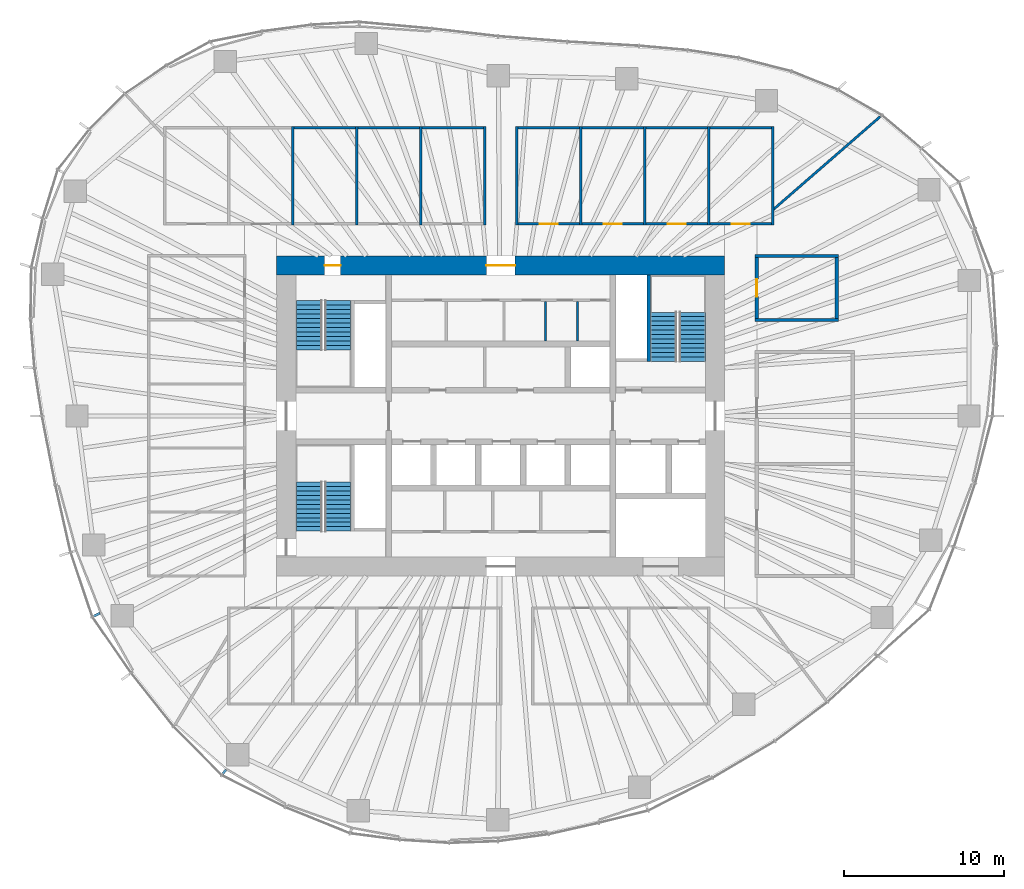
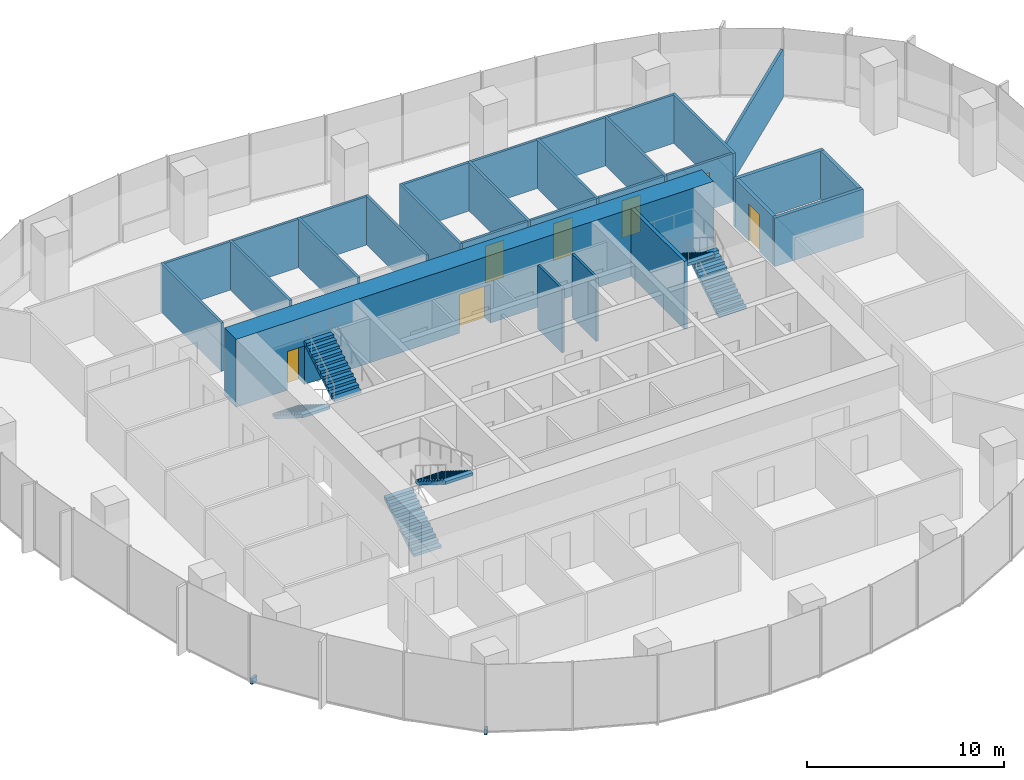
# One storey, part 11 of 18: 29 walls, 7 doors, 6 stair flights, 2 discrete accessories, 7 openings, 3 elements without a shape of their own.
"""IFC4 building model written with IfcOpenShell, lengths in metres."""

from ifc_helpers import new_model, si_unit, direction, frame, frame_2d, origin, origin_2d, place, context, subcontext, project, spatial, polyline, rectangle, outline, extrude, material, layer, layer_set, type_object, element, fill, aggregate, save


model = new_model("IFC4")

# Units and contexts
model_context = context("Model", 3, precision=1e-05, world=origin(), true_north=direction((0.0, 1.0)))
body_context = subcontext(model_context, "Body", "Model", "MODEL_VIEW")
ifc_project = project(units=[si_unit("LENGTHUNIT", "METRE"), si_unit("AREAUNIT", "SQUARE_METRE"), si_unit("VOLUMEUNIT", "CUBIC_METRE"), si_unit("PLANEANGLEUNIT", "RADIAN"), si_unit("MASSUNIT", "GRAM", prefix="KILO")], contexts=[model_context])

# Site, building, storey
site_placement = place(None, origin())
site = spatial("IfcSite", under=ifc_project, at=site_placement, CompositionType="ELEMENT")
building_placement = place(site_placement, origin())
building = spatial("IfcBuilding", under=site, at=building_placement, Name="Ghaith Harvest Tower", CompositionType="ELEMENT")
storey_placement = place(building_placement, frame((0.0, 0.0, 168.0)))
storey = spatial("IfcBuildingStorey", under=building, at=storey_placement, Name="L36", CompositionType="ELEMENT", Elevation=168.0)

# Walls
ifc_material_1 = material(Name="Twin-stud gypsum board, acoustic", Category="gypsum")
ifc_layer_1 = layer(ifc_material_1, 0.199951171875)
ifc_layer_set_1 = layer_set([ifc_layer_1], Name="ACOUSTIC PARTITION 200")
wall_type_1 = type_object("IfcWallType", Name="ACOUSTIC PARTITION 200", PredefinedType="PARTITIONING", material=ifc_layer_set_1)
for number, where, z_axis, x_axis, name in (
    (1, (15.89990234375, 6.0, 0.0), (0.0, 0.0, 1.0), (1.0, 0.0, 0.0), "Partition L36 row E7 cross wall 1"),
    (2, (15.89990234375, 10.0, 0.0), (0.0, 0.0, 1.0), (1.0, 0.0, 0.0), "Partition L36 row E7 cross wall 2"),
):
    element("IfcWall", number, at=place(storey_placement, frame(where, z_axis=z_axis, x_axis=x_axis)), inside=storey, type_object=wall_type_1, Name=name, PredefinedType="PARTITIONING", context=body_context, shape_type="SweptSolid", body=[
        extrude(rectangle(XDim=5.2001953125, YDim=0.199951171875, at=frame_2d((2.60009765625, 0.0))), origin(), (0.0, 0.0, 1.0), 3.0),
    ])

# Wall, opening, door
wall_1_placement = place(storey_placement, frame((16.0, 6.10009765625, 0.0), z_axis=(0.0, 0.0, 1.0), x_axis=(0.0, 1.0, 0.0)))
wall_1 = element("IfcWall", 3, at=wall_1_placement, inside=storey, type_object=wall_type_1, Name="Partition L36-23", PredefinedType="PARTITIONING", context=body_context, shape_type="SweptSolid", body=[
    extrude(rectangle(XDim=3.7998046875, YDim=0.199951171875, at=frame_2d((1.89990234375, 0.0))), origin(), (0.0, 0.0, 1.0), 3.0),
])
opening_1_placement = place(wall_1_placement, frame((1.35009765625, 0.0, 0.0)))
opening_1 = element("IfcOpeningElement", 4, at=opening_1_placement, cuts=wall_1, Name="Opening 36-050", PredefinedType="OPENING", context=body_context, shape_type="SweptSolid", body=[
    extrude(rectangle(XDim=1.10009765625, YDim=2.300048828125, at=frame_2d((0.550048828125, 1.14990234375))), frame((0.0, 0.10986328125, 0.0), z_axis=(0.0, -1.0, 0.0), x_axis=(1.0, 0.0, 0.0)), (0.0, 0.0, 1.0), 0.219970703125),
])
ifc_material_2 = material(Name="Timber-framed glazed door", Category="wood")
door_type_1 = type_object("IfcDoorType", Name="D12 GLAZED OFFICE 1100x2300", OperationType="SINGLE_SWING_LEFT", PredefinedType="DOOR", material=ifc_material_2)
door_1_placement = place(opening_1_placement, origin())
door_1 = element("IfcDoor", 5, at=door_1_placement, inside=storey, type_object=door_type_1, Name="Quiet room door", OperationType="SINGLE_SWING_LEFT", OverallHeight=2.300048828125, OverallWidth=1.10009765625, PredefinedType="DOOR", context=body_context, shape_type="SweptSolid", body=[
    extrude(rectangle(XDim=1.10009765625, YDim=2.300048828125, at=frame_2d((0.550048828125, 1.14990234375))), frame((0.0, 0.02490234375, 0.0), z_axis=(0.0, -1.0, 0.0), x_axis=(1.0, 0.0, 0.0)), (0.0, 0.0, 1.0), 0.050048828125),
])
fill(opening_1, door_1)

# Walls
wall_2_placement = place(storey_placement, frame((21.0, 6.10009765625, 0.0), z_axis=(0.0, 0.0, 1.0), x_axis=(0.0, 1.0, 0.0)))
element("IfcWall", 6, at=wall_2_placement, inside=storey, type_object=wall_type_1, Name="Partition L36-23", PredefinedType="PARTITIONING", context=body_context, shape_type="SweptSolid", body=[
    extrude(rectangle(XDim=3.7998046875, YDim=0.199951171875, at=frame_2d((1.89990234375, 0.0))), origin(), (0.0, 0.0, 1.0), 3.0),
])
ifc_material_3 = material(Name="Concrete blockwork, fair-faced", Category="masonry")
ifc_layer_2 = layer(ifc_material_3, 0.139892578125)
ifc_layer_set_2 = layer_set([ifc_layer_2], Name="CORE PARTITION 140")
wall_type_2 = type_object("IfcWallType", Name="CORE PARTITION 140", PredefinedType="PARTITIONING", material=ifc_layer_set_2)
for number, where, z_axis, x_axis, name in (
    (7, (2.800048828125, 4.699951171875, 0.0), (0.0, 0.0, 1.0), (0.0, 1.0, 0.0), "Core partition L36"),
    (8, (4.800048828125, 4.699951171875, 0.0), (0.0, 0.0, 1.0), (0.0, 1.0, 0.0), "Core partition L36"),
):
    element("IfcWall", number, at=place(storey_placement, frame(where, z_axis=z_axis, x_axis=x_axis)), inside=storey, type_object=wall_type_2, Name=name, PredefinedType="PARTITIONING", context=body_context, shape_type="SweptSolid", body=[
        extrude(rectangle(XDim=2.4599609375, YDim=0.139892578125, at=frame_2d((1.22998046875, 0.0))), origin(), (0.0, 0.0, 1.0), 3.949951171875),
    ])

# Wall, openings, doors
ifc_material_4 = material(Name="Concrete C60/75", Category="concrete")
ifc_layer_3 = layer(ifc_material_4, 1.199951171875)
ifc_layer_set_3 = layer_set([ifc_layer_3], Name="CORE WALL CW1200 C60")
wall_type_3 = type_object("IfcWallType", Name="CORE WALL CW1200 C60", PredefinedType="SHEAR", material=ifc_layer_set_3)
wall_3_placement = place(storey_placement, frame((14.0, 9.39990234375, 0.0), z_axis=(0.0, 0.0, 1.0), x_axis=(-1.0, 0.0, 0.0)))
wall_3 = element("IfcWall", 9, at=wall_3_placement, inside=storey, type_object=wall_type_3, Name="Core wall N L36", PredefinedType="SHEAR", context=body_context, shape_type="SweptSolid", body=[
    extrude(rectangle(XDim=28.0, YDim=1.199951171875, at=frame_2d((14.0, 0.0))), origin(), (0.0, 0.0, 1.0), 4.199951171875),
])
opening_2_placement = place(wall_3_placement, frame((24.0, 0.0, 0.0)))
opening_2 = element("IfcOpeningElement", 10, at=opening_2_placement, cuts=wall_3, Name="Opening 36-005", PredefinedType="OPENING", context=body_context, shape_type="SweptSolid", body=[
    extrude(rectangle(XDim=1.0, YDim=2.39990234375, at=frame_2d((0.5, 1.199951171875))), frame((0.0, 0.60986328125, 0.0), z_axis=(0.0, -1.0, 0.0), x_axis=(1.0, 0.0, 0.0)), (0.0, 0.0, 1.0), 1.219970703125),
])
opening_3_placement = place(wall_3_placement, frame((13.10009765625, 0.0, 0.0)))
opening_3 = element("IfcOpeningElement", 11, at=opening_3_placement, cuts=wall_3, Name="Opening 36-019", PredefinedType="OPENING", context=body_context, shape_type="SweptSolid", body=[
    extrude(rectangle(XDim=1.800048828125, YDim=2.39990234375, at=frame_2d((0.89990234375, 1.199951171875))), frame((0.0, 0.60986328125, 0.0), z_axis=(0.0, -1.0, 0.0), x_axis=(1.0, 0.0, 0.0)), (0.0, 0.0, 1.0), 1.219970703125),
])
ifc_material_5 = material(Name="Steel fire door", Category="steel")
door_type_2 = type_object("IfcDoorType", Name="D3 FD90 1000x2400", OperationType="SINGLE_SWING_LEFT", PredefinedType="DOOR", material=ifc_material_5)
door_2_placement = place(opening_2_placement, origin())
door_2 = element("IfcDoor", 12, at=door_2_placement, inside=storey, type_object=door_type_2, Name="Stair ST1 door", OperationType="SINGLE_SWING_RIGHT", OverallHeight=2.39990234375, OverallWidth=1.0, PredefinedType="DOOR", context=body_context, shape_type="SweptSolid", body=[
    extrude(rectangle(XDim=1.0, YDim=2.39990234375, at=frame_2d((0.5, 1.199951171875))), frame((0.0, 0.02490234375, 0.0), z_axis=(0.0, -1.0, 0.0), x_axis=(1.0, 0.0, 0.0)), (0.0, 0.0, 1.0), 0.050048828125),
])
fill(opening_2, door_2)
ifc_material_6 = material(Name="Steel fire door", Category="steel")
door_type_3 = type_object("IfcDoorType", Name="D4 FD90 PAIR 1800x2400", OperationType="DOUBLE_DOOR_SINGLE_SWING", PredefinedType="DOOR", material=ifc_material_6)
door_3_placement = place(opening_3_placement, origin())
door_3 = element("IfcDoor", 13, at=door_3_placement, inside=storey, type_object=door_type_3, Name="Core service corridor doors", OperationType="DOUBLE_DOOR_SINGLE_SWING", OverallHeight=2.39990234375, OverallWidth=1.800048828125, PredefinedType="DOOR", context=body_context, shape_type="SweptSolid", body=[
    extrude(rectangle(XDim=1.800048828125, YDim=2.39990234375, at=frame_2d((0.89990234375, 1.199951171875))), frame((0.0, 0.02490234375, 0.0), z_axis=(0.0, -1.0, 0.0), x_axis=(1.0, 0.0, 0.0)), (0.0, 0.0, 1.0), 0.050048828125),
])
fill(opening_3, door_3)

# Walls
ifc_material_7 = material(Name="Gypsum board on steel studs", Category="steel")
ifc_layer_4 = layer(ifc_material_7, 0.14990234375)
ifc_layer_set_4 = layer_set([ifc_layer_4], Name="PARTITION 150")
wall_type_4 = type_object("IfcWallType", Name="PARTITION 150", PredefinedType="PARTITIONING", material=ifc_layer_set_4)
for number, where, z_axis, x_axis, name in (
    (14, (-13.0, 11.925048828125, 0.0), (0.0, 0.0, 1.0), (0.0, 1.0, 0.0), "Partition L36 row N1 cross wall 3"),
    (15, (-9.0, 11.925048828125, 0.0), (0.0, 0.0, 1.0), (0.0, 1.0, 0.0), "Partition L36 row N1 cross wall 4"),
    (16, (-5.0, 11.925048828125, 0.0), (0.0, 0.0, 1.0), (0.0, 1.0, 0.0), "Partition L36 row N1 cross wall 5"),
    (17, (-1.0, 11.925048828125, 0.0), (0.0, 0.0, 1.0), (0.0, 1.0, 0.0), "Partition L36 row N1 cross wall 6"),
):
    element("IfcWall", number, at=place(storey_placement, frame(where, z_axis=z_axis, x_axis=x_axis)), inside=storey, type_object=wall_type_4, Name=name, PredefinedType="PARTITIONING", context=body_context, shape_type="SweptSolid", body=[
        extrude(rectangle(XDim=6.14990234375, YDim=0.14990234375, at=frame_2d((3.074951171875, 0.0))), origin(), (0.0, 0.0, 1.0), 3.0),
    ])
for number, where, z_axis, x_axis, name in (
    (18, (-12.925048828125, 18.0, 0.0), (0.0, 0.0, 1.0), (1.0, 0.0, 0.0), "Partition L36-03"),
    (19, (-8.925048828125, 18.0, 0.0), (0.0, 0.0, 1.0), (1.0, 0.0, 0.0), "Partition L36-04"),
    (20, (-4.925048828125, 18.0, 0.0), (0.0, 0.0, 1.0), (1.0, 0.0, 0.0), "Partition L36-05"),
):
    element("IfcWall", number, at=place(storey_placement, frame(where, z_axis=z_axis, x_axis=x_axis)), inside=storey, type_object=wall_type_4, Name=name, PredefinedType="PARTITIONING", context=body_context, shape_type="SweptSolid", body=[
        extrude(rectangle(XDim=3.85009765625, YDim=0.14990234375, at=frame_2d((1.925048828125, 0.0))), origin(), (0.0, 0.0, 1.0), 3.0),
    ])
for number, where, z_axis, x_axis, name in (
    (21, (1.0, 11.925048828125, 0.0), (0.0, 0.0, 1.0), (0.0, 1.0, 0.0), "Partition L36 row N2 cross wall 1"),
    (22, (5.0, 11.925048828125, 0.0), (0.0, 0.0, 1.0), (0.0, 1.0, 0.0), "Partition L36 row N2 cross wall 2"),
    (23, (9.0, 11.925048828125, 0.0), (0.0, 0.0, 1.0), (0.0, 1.0, 0.0), "Partition L36 row N2 cross wall 3"),
    (24, (13.0, 11.925048828125, 0.0), (0.0, 0.0, 1.0), (0.0, 1.0, 0.0), "Partition L36 row N2 cross wall 4"),
    (25, (17.0, 11.925048828125, 0.0), (0.0, 0.0, 1.0), (0.0, 1.0, 0.0), "Partition L36 row N2 cross wall 5"),
):
    element("IfcWall", number, at=place(storey_placement, frame(where, z_axis=z_axis, x_axis=x_axis)), inside=storey, type_object=wall_type_4, Name=name, PredefinedType="PARTITIONING", context=body_context, shape_type="SweptSolid", body=[
        extrude(rectangle(XDim=6.14990234375, YDim=0.14990234375, at=frame_2d((3.074951171875, 0.0))), origin(), (0.0, 0.0, 1.0), 3.0),
    ])

# Wall, opening, door
wall_4_placement = place(storey_placement, frame((1.074951171875, 12.0, 0.0), z_axis=(0.0, 0.0, 1.0), x_axis=(1.0, 0.0, 0.0)))
wall_4 = element("IfcWall", 26, at=wall_4_placement, inside=storey, type_object=wall_type_4, Name="Partition L36-06", PredefinedType="PARTITIONING", context=body_context, shape_type="SweptSolid", body=[
    extrude(rectangle(XDim=3.85009765625, YDim=0.14990234375, at=frame_2d((1.925048828125, 0.0))), origin(), (0.0, 0.0, 1.0), 3.0),
])
opening_4_placement = place(wall_4_placement, frame((1.375, 0.0, 0.0)))
opening_4 = element("IfcOpeningElement", 27, at=opening_4_placement, cuts=wall_4, Name="Opening 36-033", PredefinedType="OPENING", context=body_context, shape_type="SweptSolid", body=[
    extrude(rectangle(XDim=1.10009765625, YDim=2.300048828125, at=frame_2d((0.550048828125, 1.14990234375))), frame((0.0, 0.0849609375, 0.0), z_axis=(0.0, -1.0, 0.0), x_axis=(1.0, 0.0, 0.0)), (0.0, 0.0, 1.0), 0.169921875),
])
door_4_placement = place(opening_4_placement, origin())
door_4 = element("IfcDoor", 28, at=door_4_placement, inside=storey, type_object=door_type_1, Name="Office door", OperationType="SINGLE_SWING_LEFT", OverallHeight=2.300048828125, OverallWidth=1.10009765625, PredefinedType="DOOR", context=body_context, shape_type="SweptSolid", body=[
    extrude(rectangle(XDim=1.10009765625, YDim=2.300048828125, at=frame_2d((0.550048828125, 1.14990234375))), frame((0.0, 0.02490234375, 0.0), z_axis=(0.0, -1.0, 0.0), x_axis=(1.0, 0.0, 0.0)), (0.0, 0.0, 1.0), 0.050048828125),
])
fill(opening_4, door_4)

# Wall
wall_5_placement = place(storey_placement, frame((1.074951171875, 18.0, 0.0), z_axis=(0.0, 0.0, 1.0), x_axis=(1.0, 0.0, 0.0)))
element("IfcWall", 29, at=wall_5_placement, inside=storey, type_object=wall_type_4, Name="Partition L36-06", PredefinedType="PARTITIONING", context=body_context, shape_type="SweptSolid", body=[
    extrude(rectangle(XDim=3.85009765625, YDim=0.14990234375, at=frame_2d((1.925048828125, 0.0))), origin(), (0.0, 0.0, 1.0), 3.0),
])

# Wall, opening, door
wall_6_placement = place(storey_placement, frame((5.074951171875, 12.0, 0.0), z_axis=(0.0, 0.0, 1.0), x_axis=(1.0, 0.0, 0.0)))
wall_6 = element("IfcWall", 30, at=wall_6_placement, inside=storey, type_object=wall_type_4, Name="Partition L36-07", PredefinedType="PARTITIONING", context=body_context, shape_type="SweptSolid", body=[
    extrude(rectangle(XDim=3.85009765625, YDim=0.14990234375, at=frame_2d((1.925048828125, 0.0))), origin(), (0.0, 0.0, 1.0), 3.0),
])
opening_5_placement = place(wall_6_placement, frame((1.375, 0.0, 0.0)))
opening_5 = element("IfcOpeningElement", 31, at=opening_5_placement, cuts=wall_6, Name="Opening 36-034", PredefinedType="OPENING", context=body_context, shape_type="SweptSolid", body=[
    extrude(rectangle(XDim=1.10009765625, YDim=2.300048828125, at=frame_2d((0.550048828125, 1.14990234375))), frame((0.0, 0.0849609375, 0.0), z_axis=(0.0, -1.0, 0.0), x_axis=(1.0, 0.0, 0.0)), (0.0, 0.0, 1.0), 0.169921875),
])
door_5_placement = place(opening_5_placement, origin())
door_5 = element("IfcDoor", 32, at=door_5_placement, inside=storey, type_object=door_type_1, Name="Office door", OperationType="SINGLE_SWING_LEFT", OverallHeight=2.300048828125, OverallWidth=1.10009765625, PredefinedType="DOOR", context=body_context, shape_type="SweptSolid", body=[
    extrude(rectangle(XDim=1.10009765625, YDim=2.300048828125, at=frame_2d((0.550048828125, 1.14990234375))), frame((0.0, 0.02490234375, 0.0), z_axis=(0.0, -1.0, 0.0), x_axis=(1.0, 0.0, 0.0)), (0.0, 0.0, 1.0), 0.050048828125),
])
fill(opening_5, door_5)

# Wall
wall_7_placement = place(storey_placement, frame((5.074951171875, 18.0, 0.0), z_axis=(0.0, 0.0, 1.0), x_axis=(1.0, 0.0, 0.0)))
element("IfcWall", 33, at=wall_7_placement, inside=storey, type_object=wall_type_4, Name="Partition L36-07", PredefinedType="PARTITIONING", context=body_context, shape_type="SweptSolid", body=[
    extrude(rectangle(XDim=3.85009765625, YDim=0.14990234375, at=frame_2d((1.925048828125, 0.0))), origin(), (0.0, 0.0, 1.0), 3.0),
])

# Wall, opening, door
wall_8_placement = place(storey_placement, frame((9.074951171875, 12.0, 0.0), z_axis=(0.0, 0.0, 1.0), x_axis=(1.0, 0.0, 0.0)))
wall_8 = element("IfcWall", 34, at=wall_8_placement, inside=storey, type_object=wall_type_4, Name="Partition L36-08", PredefinedType="PARTITIONING", context=body_context, shape_type="SweptSolid", body=[
    extrude(rectangle(XDim=3.85009765625, YDim=0.14990234375, at=frame_2d((1.925048828125, 0.0))), origin(), (0.0, 0.0, 1.0), 3.0),
])
opening_6_placement = place(wall_8_placement, frame((1.375, 0.0, 0.0)))
opening_6 = element("IfcOpeningElement", 35, at=opening_6_placement, cuts=wall_8, Name="Opening 36-035", PredefinedType="OPENING", context=body_context, shape_type="SweptSolid", body=[
    extrude(rectangle(XDim=1.10009765625, YDim=2.300048828125, at=frame_2d((0.550048828125, 1.14990234375))), frame((0.0, 0.0849609375, 0.0), z_axis=(0.0, -1.0, 0.0), x_axis=(1.0, 0.0, 0.0)), (0.0, 0.0, 1.0), 0.169921875),
])
door_6_placement = place(opening_6_placement, origin())
door_6 = element("IfcDoor", 36, at=door_6_placement, inside=storey, type_object=door_type_1, Name="Office door", OperationType="SINGLE_SWING_LEFT", OverallHeight=2.300048828125, OverallWidth=1.10009765625, PredefinedType="DOOR", context=body_context, shape_type="SweptSolid", body=[
    extrude(rectangle(XDim=1.10009765625, YDim=2.300048828125, at=frame_2d((0.550048828125, 1.14990234375))), frame((0.0, 0.02490234375, 0.0), z_axis=(0.0, -1.0, 0.0), x_axis=(1.0, 0.0, 0.0)), (0.0, 0.0, 1.0), 0.050048828125),
])
fill(opening_6, door_6)

# Wall
wall_9_placement = place(storey_placement, frame((9.074951171875, 18.0, 0.0), z_axis=(0.0, 0.0, 1.0), x_axis=(1.0, 0.0, 0.0)))
element("IfcWall", 37, at=wall_9_placement, inside=storey, type_object=wall_type_4, Name="Partition L36-08", PredefinedType="PARTITIONING", context=body_context, shape_type="SweptSolid", body=[
    extrude(rectangle(XDim=3.85009765625, YDim=0.14990234375, at=frame_2d((1.925048828125, 0.0))), origin(), (0.0, 0.0, 1.0), 3.0),
])

# Wall, opening, door
wall_10_placement = place(storey_placement, frame((13.074951171875, 12.0, 0.0), z_axis=(0.0, 0.0, 1.0), x_axis=(1.0, 0.0, 0.0)))
wall_10 = element("IfcWall", 38, at=wall_10_placement, inside=storey, type_object=wall_type_4, Name="Partition L36-09", PredefinedType="PARTITIONING", context=body_context, shape_type="SweptSolid", body=[
    extrude(rectangle(XDim=3.85009765625, YDim=0.14990234375, at=frame_2d((1.925048828125, 0.0))), origin(), (0.0, 0.0, 1.0), 3.0),
])
opening_7_placement = place(wall_10_placement, frame((1.375, 0.0, 0.0)))
opening_7 = element("IfcOpeningElement", 39, at=opening_7_placement, cuts=wall_10, Name="Opening 36-036", PredefinedType="OPENING", context=body_context, shape_type="SweptSolid", body=[
    extrude(rectangle(XDim=1.10009765625, YDim=2.300048828125, at=frame_2d((0.550048828125, 1.14990234375))), frame((0.0, 0.0849609375, 0.0), z_axis=(0.0, -1.0, 0.0), x_axis=(1.0, 0.0, 0.0)), (0.0, 0.0, 1.0), 0.169921875),
])
door_7_placement = place(opening_7_placement, origin())
door_7 = element("IfcDoor", 40, at=door_7_placement, inside=storey, type_object=door_type_1, Name="Office door", OperationType="SINGLE_SWING_LEFT", OverallHeight=2.300048828125, OverallWidth=1.10009765625, PredefinedType="DOOR", context=body_context, shape_type="SweptSolid", body=[
    extrude(rectangle(XDim=1.10009765625, YDim=2.300048828125, at=frame_2d((0.550048828125, 1.14990234375))), frame((0.0, 0.02490234375, 0.0), z_axis=(0.0, -1.0, 0.0), x_axis=(1.0, 0.0, 0.0)), (0.0, 0.0, 1.0), 0.050048828125),
])
fill(opening_7, door_7)

# Walls
wall_11_placement = place(storey_placement, frame((13.074951171875, 18.0, 0.0), z_axis=(0.0, 0.0, 1.0), x_axis=(1.0, 0.0, 0.0)))
element("IfcWall", 41, at=wall_11_placement, inside=storey, type_object=wall_type_4, Name="Partition L36-09", PredefinedType="PARTITIONING", context=body_context, shape_type="SweptSolid", body=[
    extrude(rectangle(XDim=3.85009765625, YDim=0.14990234375, at=frame_2d((1.925048828125, 0.0))), origin(), (0.0, 0.0, 1.0), 3.0),
])
wall_12_placement = place(storey_placement, frame((17.02001953125, 12.88671875, 0.0), z_axis=(0.0, 0.0, 1.0), x_axis=(0.75468613342, 0.656086000479, 0.0)))
element("IfcWall", 42, at=wall_12_placement, inside=storey, type_object=wall_type_4, Name="Partition L36 zone division", PredefinedType="PARTITIONING", context=body_context, shape_type="SweptSolid", body=[
    extrude(rectangle(XDim=8.86669921875, YDim=0.14990234375, at=frame_2d((4.433349609375, 0.0))), origin(), (0.0, 0.0, 1.0), 3.0),
])
ifc_material_8 = material(Name="Concrete C40/50", Category="concrete")
ifc_layer_5 = layer(ifc_material_8, 0.199951171875)
ifc_layer_set_5 = layer_set([ifc_layer_5], Name="STAIR SPINE WALL RC200")
wall_type_5 = type_object("IfcWallType", Name="STAIR SPINE WALL RC200", PredefinedType="SOLIDWALL", material=ifc_layer_set_5)
wall_13_placement = place(storey_placement, frame((9.25, 3.39990234375, 0.0), z_axis=(0.0, 0.0, 1.0), x_axis=(0.0, 1.0, 0.0)))
element("IfcWall", 43, at=wall_13_placement, inside=storey, type_object=wall_type_5, Name="Stair ST2 spine wall L36", PredefinedType="SOLIDWALL", context=body_context, shape_type="SweptSolid", body=[
    extrude(rectangle(XDim=5.400146484375, YDim=0.199951171875, at=frame_2d((2.7001953125, 0.0))), origin(), (0.0, 0.0, 1.0), 4.199951171875),
])

# Stair, stair flights
ifc_material_9 = material(Name="Concrete C40/50, precast", Category="concrete")
stair_type = type_object("IfcStairType", Name="CORE STAIR 24R", PredefinedType="HALF_TURN_STAIR", material=ifc_material_9)
stair_1_placement = place(storey_placement, origin())
stair_1 = element("IfcStair", 44, at=stair_1_placement, inside=storey, type_object=stair_type, Name="Stair ST1 L36", PredefinedType="HALF_TURN_STAIR")
ifc_material_10 = material(Name="Concrete C40/50, precast", Category="concrete")
stair_flight_type = type_object("IfcStairFlightType", Name="CORE FLIGHT 12R 1600", PredefinedType="STRAIGHT", material=ifc_material_10)
stair_flight_1_placement = place(storey_placement, frame((-12.0, 7.199951171875, 0.0), z_axis=(0.0, 0.0, 1.0), x_axis=(0.0, -1.0, 0.0)))
stair_flight_1 = element("IfcStairFlight", 45, at=stair_flight_1_placement, type_object=stair_flight_type, Name="ST1 flight 1", NumberOfRisers=12, NumberOfTreads=11, PredefinedType="STRAIGHT", RiserHeight=0.175, TreadLength=0.28, context=body_context, shape_type="SweptSolid", body=[
    extrude(outline(polyline([(0.0, 0.0), (0.0, 0.175048828125), (0.280029296875, 0.175048828125), (0.280029296875, 0.35009765625), (0.56005859375, 0.35009765625), (0.56005859375, 0.52490234375), (0.840087890625, 0.52490234375), (0.840087890625, 0.699951171875), (1.1201171875, 0.699951171875), (1.1201171875, 0.875), (1.39990234375, 0.875), (1.39990234375, 1.050048828125), (1.679931640625, 1.050048828125), (1.679931640625, 1.22509765625), (1.9599609375, 1.22509765625), (1.9599609375, 1.39990234375), (2.239990234375, 1.39990234375), (2.239990234375, 1.574951171875), (2.52001953125, 1.574951171875), (2.52001953125, 1.75), (2.800048828125, 1.75), (2.800048828125, 1.925048828125), (3.080078125, 1.925048828125), (3.080078125, 2.10009765625), (3.080078125, 1.748291015625), (0.28271484375, 0.0), (0.0, 0.0)])), frame((0.0, 0.800048828125, 0.0), z_axis=(0.0, -1.0, 0.0), x_axis=(1.0, 0.0, 0.0)), (0.0, 0.0, 1.0), 1.60009765625),
])
stair_flight_2_placement = place(storey_placement, frame((-10.14990234375, 4.1201171875, 2.10009765625), z_axis=(0.0, 0.0, 1.0), x_axis=(0.0, 1.0, 0.0)))
stair_flight_2 = element("IfcStairFlight", 46, at=stair_flight_2_placement, type_object=stair_flight_type, Name="ST1 flight 2", NumberOfRisers=12, NumberOfTreads=11, PredefinedType="STRAIGHT", RiserHeight=0.175, TreadLength=0.28, context=body_context, shape_type="SweptSolid", body=[
    extrude(outline(polyline([(0.0, 0.0), (0.0, 0.175048828125), (0.280029296875, 0.175048828125), (0.280029296875, 0.35009765625), (0.56005859375, 0.35009765625), (0.56005859375, 0.52490234375), (0.840087890625, 0.52490234375), (0.840087890625, 0.699951171875), (1.1201171875, 0.699951171875), (1.1201171875, 0.875), (1.39990234375, 0.875), (1.39990234375, 1.050048828125), (1.679931640625, 1.050048828125), (1.679931640625, 1.22509765625), (1.9599609375, 1.22509765625), (1.9599609375, 1.39990234375), (2.239990234375, 1.39990234375), (2.239990234375, 1.574951171875), (2.52001953125, 1.574951171875), (2.52001953125, 1.75), (2.800048828125, 1.75), (2.800048828125, 1.925048828125), (3.080078125, 1.925048828125), (3.080078125, 2.10009765625), (3.080078125, 1.748291015625), (0.28271484375, 0.0), (0.0, 0.0)])), frame((0.0, 0.800048828125, 0.0), z_axis=(0.0, -1.0, 0.0), x_axis=(1.0, 0.0, 0.0)), (0.0, 0.0, 1.0), 1.60009765625),
])
aggregate(stair_1, [stair_flight_1, stair_flight_2])

stair_2_placement = place(storey_placement, origin())
stair_2 = element("IfcStair", 47, at=stair_2_placement, inside=storey, type_object=stair_type, Name="Stair ST3 L36", PredefinedType="HALF_TURN_STAIR")
stair_flight_3_placement = place(storey_placement, frame((-12.0, -7.199951171875, 0.0), z_axis=(0.0, 0.0, 1.0), x_axis=(0.0, 1.0, 0.0)))
stair_flight_3 = element("IfcStairFlight", 48, at=stair_flight_3_placement, type_object=stair_flight_type, Name="ST3 flight 1", NumberOfRisers=12, NumberOfTreads=11, PredefinedType="STRAIGHT", RiserHeight=0.175, TreadLength=0.28, context=body_context, shape_type="SweptSolid", body=[
    extrude(outline(polyline([(0.0, 0.0), (0.0, 0.175048828125), (0.280029296875, 0.175048828125), (0.280029296875, 0.35009765625), (0.56005859375, 0.35009765625), (0.56005859375, 0.52490234375), (0.840087890625, 0.52490234375), (0.840087890625, 0.699951171875), (1.1201171875, 0.699951171875), (1.1201171875, 0.875), (1.39990234375, 0.875), (1.39990234375, 1.050048828125), (1.679931640625, 1.050048828125), (1.679931640625, 1.22509765625), (1.9599609375, 1.22509765625), (1.9599609375, 1.39990234375), (2.239990234375, 1.39990234375), (2.239990234375, 1.574951171875), (2.52001953125, 1.574951171875), (2.52001953125, 1.75), (2.800048828125, 1.75), (2.800048828125, 1.925048828125), (3.080078125, 1.925048828125), (3.080078125, 2.10009765625), (3.080078125, 1.748291015625), (0.28271484375, 0.0), (0.0, 0.0)])), frame((0.0, 0.800048828125, 0.0), z_axis=(0.0, -1.0, 0.0), x_axis=(1.0, 0.0, 0.0)), (0.0, 0.0, 1.0), 1.60009765625),
])
stair_flight_4_placement = place(storey_placement, frame((-10.14990234375, -4.1201171875, 2.10009765625), z_axis=(0.0, 0.0, 1.0), x_axis=(0.0, -1.0, 0.0)))
stair_flight_4 = element("IfcStairFlight", 49, at=stair_flight_4_placement, type_object=stair_flight_type, Name="ST3 flight 2", NumberOfRisers=12, NumberOfTreads=11, PredefinedType="STRAIGHT", RiserHeight=0.175, TreadLength=0.28, context=body_context, shape_type="SweptSolid", body=[
    extrude(outline(polyline([(0.0, 0.0), (0.0, 0.175048828125), (0.280029296875, 0.175048828125), (0.280029296875, 0.35009765625), (0.56005859375, 0.35009765625), (0.56005859375, 0.52490234375), (0.840087890625, 0.52490234375), (0.840087890625, 0.699951171875), (1.1201171875, 0.699951171875), (1.1201171875, 0.875), (1.39990234375, 0.875), (1.39990234375, 1.050048828125), (1.679931640625, 1.050048828125), (1.679931640625, 1.22509765625), (1.9599609375, 1.22509765625), (1.9599609375, 1.39990234375), (2.239990234375, 1.39990234375), (2.239990234375, 1.574951171875), (2.52001953125, 1.574951171875), (2.52001953125, 1.75), (2.800048828125, 1.75), (2.800048828125, 1.925048828125), (3.080078125, 1.925048828125), (3.080078125, 2.10009765625), (3.080078125, 1.748291015625), (0.28271484375, 0.0), (0.0, 0.0)])), frame((0.0, 0.800048828125, 0.0), z_axis=(0.0, -1.0, 0.0), x_axis=(1.0, 0.0, 0.0)), (0.0, 0.0, 1.0), 1.60009765625),
])
aggregate(stair_2, [stair_flight_3, stair_flight_4])

stair_3_placement = place(storey_placement, origin())
stair_3 = element("IfcStair", 50, at=stair_3_placement, inside=storey, type_object=stair_type, Name="Stair ST2 L36", PredefinedType="HALF_TURN_STAIR")
stair_flight_5_placement = place(storey_placement, frame((12.0, 3.39990234375, 0.0), z_axis=(0.0, 0.0, 1.0), x_axis=(0.0, 1.0, 0.0)))
stair_flight_5 = element("IfcStairFlight", 51, at=stair_flight_5_placement, type_object=stair_flight_type, Name="ST2 flight 1", NumberOfRisers=12, NumberOfTreads=11, PredefinedType="STRAIGHT", RiserHeight=0.175, TreadLength=0.28, context=body_context, shape_type="SweptSolid", body=[
    extrude(outline(polyline([(0.0, 0.0), (0.0, 0.175048828125), (0.280029296875, 0.175048828125), (0.280029296875, 0.35009765625), (0.56005859375, 0.35009765625), (0.56005859375, 0.52490234375), (0.840087890625, 0.52490234375), (0.840087890625, 0.699951171875), (1.1201171875, 0.699951171875), (1.1201171875, 0.875), (1.39990234375, 0.875), (1.39990234375, 1.050048828125), (1.679931640625, 1.050048828125), (1.679931640625, 1.22509765625), (1.9599609375, 1.22509765625), (1.9599609375, 1.39990234375), (2.239990234375, 1.39990234375), (2.239990234375, 1.574951171875), (2.52001953125, 1.574951171875), (2.52001953125, 1.75), (2.800048828125, 1.75), (2.800048828125, 1.925048828125), (3.080078125, 1.925048828125), (3.080078125, 2.10009765625), (3.080078125, 1.748291015625), (0.28271484375, 0.0), (0.0, 0.0)])), frame((0.0, 0.800048828125, 0.0), z_axis=(0.0, -1.0, 0.0), x_axis=(1.0, 0.0, 0.0)), (0.0, 0.0, 1.0), 1.60009765625),
])
stair_flight_6_placement = place(storey_placement, frame((10.14990234375, 6.47998046875, 2.10009765625), z_axis=(0.0, 0.0, 1.0), x_axis=(0.0, -1.0, 0.0)))
stair_flight_6 = element("IfcStairFlight", 52, at=stair_flight_6_placement, type_object=stair_flight_type, Name="ST2 flight 2", NumberOfRisers=12, NumberOfTreads=11, PredefinedType="STRAIGHT", RiserHeight=0.175, TreadLength=0.28, context=body_context, shape_type="SweptSolid", body=[
    extrude(outline(polyline([(0.0, 0.0), (0.0, 0.175048828125), (0.280029296875, 0.175048828125), (0.280029296875, 0.35009765625), (0.56005859375, 0.35009765625), (0.56005859375, 0.52490234375), (0.840087890625, 0.52490234375), (0.840087890625, 0.699951171875), (1.1201171875, 0.699951171875), (1.1201171875, 0.875), (1.39990234375, 0.875), (1.39990234375, 1.050048828125), (1.679931640625, 1.050048828125), (1.679931640625, 1.22509765625), (1.9599609375, 1.22509765625), (1.9599609375, 1.39990234375), (2.239990234375, 1.39990234375), (2.239990234375, 1.574951171875), (2.52001953125, 1.574951171875), (2.52001953125, 1.75), (2.800048828125, 1.75), (2.800048828125, 1.925048828125), (3.080078125, 1.925048828125), (3.080078125, 2.10009765625), (3.080078125, 1.748291015625), (0.28271484375, 0.0), (0.0, 0.0)])), frame((0.0, 0.800048828125, 0.0), z_axis=(0.0, -1.0, 0.0), x_axis=(1.0, 0.0, 0.0)), (0.0, 0.0, 1.0), 1.60009765625),
])
aggregate(stair_3, [stair_flight_5, stair_flight_6])

# Discrete accessories
ifc_material_11 = material(Name="Stainless steel grade 1.4401", Category="steel")
discrete_accessory_type_1 = type_object("IfcDiscreteAccessoryType", Name="CURTAIN WALL BRACKET 315", PredefinedType="BRACKET", material=ifc_material_11)
discrete_accessory_1_placement = place(storey_placement, frame((-17.266357421875, -22.232421875, -0.25), z_axis=(0.0, 0.0, 1.0), x_axis=(-0.613377713774, -0.789789706343, 0.0)))
element("IfcDiscreteAccessory", 53, at=discrete_accessory_1_placement, inside=storey, type_object=discrete_accessory_type_1, Name="CW-L bracket 1 bay 14 L36", PredefinedType="BRACKET", context=body_context, shape_type="SweptSolid", body=[
    extrude(rectangle(XDim=0.31494140625, YDim=0.14990234375, at=origin_2d()), origin(), (0.0, 0.0, 1.0), 0.35009765625),
])
ifc_material_12 = material(Name="Stainless steel grade 1.4401", Category="steel")
discrete_accessory_type_2 = type_object("IfcDiscreteAccessoryType", Name="CURTAIN WALL BRACKET 415", PredefinedType="BRACKET", material=ifc_material_12)
discrete_accessory_2_placement = place(storey_placement, frame((-25.228515625, -12.41796875, -0.25), z_axis=(0.0, 0.0, 1.0), x_axis=(-0.897201221415, -0.441621974421, 0.0)))
element("IfcDiscreteAccessory", 54, at=discrete_accessory_2_placement, inside=storey, type_object=discrete_accessory_type_2, Name="CW-L bracket 2 bay 12 L36", PredefinedType="BRACKET", context=body_context, shape_type="SweptSolid", body=[
    extrude(rectangle(XDim=0.4150390625, YDim=0.14990234375, at=origin_2d()), origin(), (0.0, 0.0, 1.0), 0.35009765625),
])

save(model, "model.ifc")
